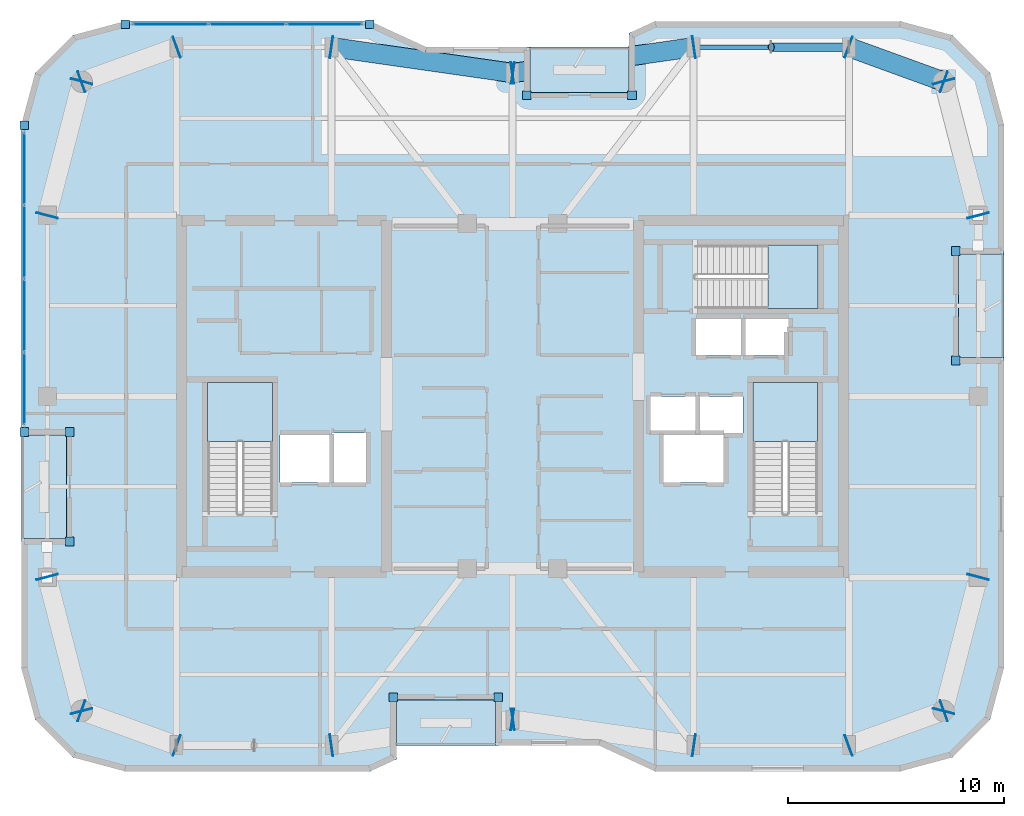
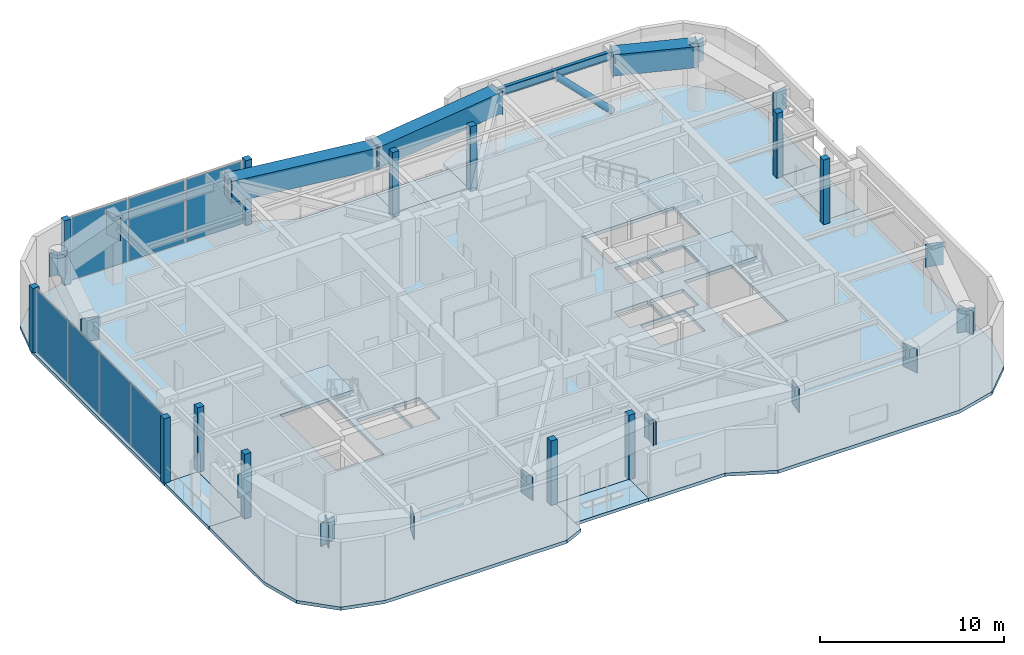
# One storey, part 7 of 16: 43 plates, 8 slabs, 4 beams, 1 member, 5 elements without a shape of their own.
"""IFC4 building model written with IfcOpenShell, lengths in metres."""

from ifc_helpers import new_model, si_unit, direction, frame, origin, origin_2d, place, context, subcontext, project, spatial, polyline, rectangle, hollow_rectangle, hollow_circle, i_section, outline, extrude, material, layer, layer_set, material_profile, profile_set, type_object, element, aggregate, save


model = new_model("IFC4")

# Units and contexts
model_context = context("Model", 3, precision=1e-05, world=origin(), true_north=direction((0.0, 1.0)))
body_context = subcontext(model_context, "Body", "Model", "MODEL_VIEW")
ifc_project = project(units=[si_unit("LENGTHUNIT", "METRE"), si_unit("AREAUNIT", "SQUARE_METRE"), si_unit("VOLUMEUNIT", "CUBIC_METRE"), si_unit("PLANEANGLEUNIT", "RADIAN"), si_unit("MASSUNIT", "GRAM", prefix="KILO")], contexts=[model_context])

# Site, building, storey
site_placement = place(None, origin())
site = spatial("IfcSite", under=ifc_project, at=site_placement, CompositionType="ELEMENT")
building_placement = place(site_placement, origin())
building = spatial("IfcBuilding", under=site, at=building_placement, Name="Kiyonajd Concourse Tower", CompositionType="ELEMENT")
storey_placement = place(building_placement, frame((0.0, 0.0, 337.5)))
storey = spatial("IfcBuildingStorey", under=building, at=storey_placement, Name="L85", CompositionType="ELEMENT", Elevation=337.5)

# Beams
ifc_material_1 = material(Name="Steel ASTM A992 Grade 50", Category="steel")
ifc_material_profile_1 = material_profile(ifc_material_1, i_section(OverallWidth=0.2109375, OverallDepth=0.5390625, WebThickness=0.01171875, FlangeThickness=0.018798828125, at=origin_2d()), Name="W530X109")
ifc_profile_set_1 = profile_set([ifc_material_profile_1], Name="Steel ASTM A992 Grade 50")
beam_type_1 = type_object("IfcBeamType", Name="BM-SPAN-530B", PredefinedType="SPANDREL", material=ifc_profile_set_1)
beam_1_placement = place(storey_placement, frame((63.60009765625, 52.199951171875, 4.010498046875), z_axis=(-1.0, 0.0, 0.0), x_axis=(0.0, -1.0, 0.0)))
element("IfcBeam", 1, at=beam_1_placement, inside=storey, type_object=beam_type_1, Name="L85 Perimeter Bundled Tube Spandrel", PredefinedType="SPANDREL", context=body_context, shape_type="SweptSolid", body=[
    extrude(i_section(OverallWidth=0.2109375, OverallDepth=0.5390625, WebThickness=0.01171875, FlangeThickness=0.018798828125, at=origin_2d()), origin(), (0.0, 0.0, 1.0), 7.2001953125),
])
ifc_material_2 = material(Name="Steel ASTM A572 Grade 50", Category="steel")
ifc_material_profile_2 = material_profile(ifc_material_2, hollow_rectangle(XDim=0.89990234375, YDim=1.39990234375, WallThickness=0.070068359375, at=origin_2d()), Name="BOX-1400x900x70")
ifc_profile_set_2 = profile_set([ifc_material_profile_2], Name="Steel ASTM A572 Grade 50")
beam_type_2 = type_object("IfcBeamType", Name="BM-XFER-1400", PredefinedType="BEAM", material=ifc_profile_set_2)
beam_2_placement = place(storey_placement, frame((68.0, 50.60009765625, 3.580078125), z_axis=(-0.939801036019, 0.341722127901, 0.0), x_axis=(-0.341722127901, -0.939801036019, 0.0)))
element("IfcBeam", 2, at=beam_2_placement, inside=storey, type_object=beam_type_2, Name="L85 Perimeter Bundled Tube Spandrel", PredefinedType="BEAM", context=body_context, shape_type="SweptSolid", body=[
    extrude(hollow_rectangle(XDim=0.89990234375, YDim=1.39990234375, WallThickness=0.070068359375, at=origin_2d()), origin(), (0.0, 0.0, 1.0), 4.681640625),
])
for number, where, z_axis, x_axis, name in (
    (3, (56.39990234375, 52.199951171875, 3.580078125), (-0.989950069105, -0.141417328072, 0.0), (0.141417328072, -0.989950069105, 0.0), "L85 Perimeter Bundled Tube Spandrel"),
    (4, (48.0, 51.0, 3.580078125), (-0.989950069105, 0.141417328072, 0.0), (-0.141417328072, -0.989950069105, 0.0), "L85 Perimeter Bundled Tube Spandrel"),
):
    element("IfcBeam", number, at=place(storey_placement, frame(where, z_axis=z_axis, x_axis=x_axis)), inside=storey, type_object=beam_type_2, Name=name, PredefinedType="BEAM", context=body_context, shape_type="SweptSolid", body=[
        extrude(hollow_rectangle(XDim=0.89990234375, YDim=1.39990234375, WallThickness=0.070068359375, at=origin_2d()), origin(), (0.0, 0.0, 1.0), 8.485107421875),
    ])

# Member
ifc_material_3 = material(Name="Steel ASTM A500 Grade C", Category="steel")
ifc_material_profile_3 = material_profile(ifc_material_3, hollow_circle(Radius=0.202880859375, WallThickness=0.01904296875, at=origin_2d()), Name="CHS-406x19")
ifc_profile_set_3 = profile_set([ifc_material_profile_3], Name="Steel ASTM A500 Grade C")
member_type = type_object("IfcMemberType", Name="MB-PB-HIGH", PredefinedType="BRACE", material=ifc_profile_set_3)
member_placement = place(storey_placement, frame((63.60009765625, 52.199951171875, 0.300048828125), z_axis=(-0.704187756773, 0.0, 0.710013804944), x_axis=(0.0, -1.0, 0.0)))
element("IfcMember", 5, at=member_placement, inside=storey, type_object=member_type, Name="L85 Upper Zone Hollow Tube Brace PBN", PredefinedType="BRACE", context=body_context, shape_type="SweptSolid", body=[
    extrude(hollow_circle(Radius=0.202880859375, WallThickness=0.01904296875, at=origin_2d()), origin(), (0.0, 0.0, 1.0), 5.1123046875),
])

# Plates
ifc_layer_1 = layer(ifc_material_2, 0.031982421875)
ifc_layer_set_1 = layer_set([ifc_layer_1], Name="Steel ASTM A572 Grade 50")
plate_type_1 = type_object("IfcPlateType", Name="PL-CAP-540", PredefinedType="USERDEFINED", material=ifc_layer_set_1)
for number, where, z_axis, x_axis, name in (
    (6, (26.397216796875, 27.610595703125, 2.81005859375), (0.0, 0.0, 1.0), (-0.249873048837, 0.968278606324, 0.0), "L85 Welded Box Girder End Cap"),
    (7, (28.002685546875, 21.389404296875, 2.81005859375), (0.0, 0.0, 1.0), (0.249873048837, -0.968278606324, 0.0), "L85 Welded Box Girder End Cap"),
    (8, (27.98974609375, 21.40380859375, 2.81005859375), (0.0, 0.0, 1.0), (-0.939811951086, 0.341692107891, 0.0), "L85 Welded Box Girder End Cap"),
    (9, (32.410400390625, 19.796142578125, 2.81005859375), (0.0, 0.0, 1.0), (0.939811951086, -0.341692107891, 0.0), "L85 Welded Box Girder End Cap"),
    (10, (39.589111328125, 19.79833984375, 2.81005859375), (0.0, 0.0, 1.0), (-0.989949746297, -0.141419587774, 0.0), "L85 Welded Box Girder End Cap"),
    (11, (48.010986328125, 21.001708984375, 2.81005859375), (0.0, 0.0, 1.0), (0.989949746297, 0.141419587774, 0.0), "L85 Welded Box Girder End Cap"),
    (12, (47.989013671875, 21.001708984375, 2.81005859375), (0.0, 0.0, 1.0), (-0.989949746297, 0.141419587774, 0.0), "L85 Welded Box Girder End Cap"),
    (13, (56.410888671875, 19.79833984375, 2.81005859375), (0.0, 0.0, 1.0), (0.989949746297, -0.141419587774, 0.0), "L85 Welded Box Girder End Cap"),
    (14, (63.589599609375, 19.796142578125, 2.81005859375), (0.0, 0.0, 1.0), (-0.939811951086, -0.341692107891, 0.0), "L85 Welded Box Girder End Cap"),
    (15, (68.01025390625, 21.40380859375, 2.81005859375), (0.0, 0.0, 1.0), (0.939811951086, 0.341692107891, 0.0), "L85 Welded Box Girder End Cap"),
    (16, (67.997314453125, 21.389404296875, 2.81005859375), (0.0, 0.0, 1.0), (-0.249873048837, -0.968278606324, 0.0), "L85 Welded Box Girder End Cap"),
    (17, (69.602783203125, 27.610595703125, 2.81005859375), (0.0, 0.0, 1.0), (0.249873048837, 0.968278606324, 0.0), "L85 Welded Box Girder End Cap"),
    (18, (69.602783203125, 44.389404296875, 2.81005859375), (0.0, 0.0, 1.0), (0.249873048837, -0.968278606324, 0.0), "L85 Welded Box Girder End Cap"),
    (19, (67.997314453125, 50.610595703125, 2.81005859375), (0.0, 0.0, 1.0), (-0.249873048837, 0.968278606324, 0.0), "L85 Welded Box Girder End Cap"),
    (20, (68.01025390625, 50.59619140625, 2.81005859375), (0.0, 0.0, 1.0), (0.939811951086, -0.341692107891, 0.0), "L85 Welded Box Girder End Cap"),
    (21, (63.589599609375, 52.203857421875, 2.81005859375), (0.0, 0.0, 1.0), (-0.939811951086, 0.341692107891, 0.0), "L85 Welded Box Girder End Cap"),
    (22, (56.410888671875, 52.20166015625, 2.81005859375), (0.0, 0.0, 1.0), (0.989949746297, 0.141419587774, 0.0), "L85 Welded Box Girder End Cap"),
    (23, (47.989013671875, 50.998291015625, 2.81005859375), (0.0, 0.0, 1.0), (-0.989949746297, -0.141419587774, 0.0), "L85 Welded Box Girder End Cap"),
    (24, (48.010986328125, 50.998291015625, 2.81005859375), (0.0, 0.0, 1.0), (0.989949746297, -0.141419587774, 0.0), "L85 Welded Box Girder End Cap"),
    (25, (39.589111328125, 52.20166015625, 2.81005859375), (0.0, 0.0, 1.0), (-0.989949746297, 0.141419587774, 0.0), "L85 Welded Box Girder End Cap"),
    (26, (32.410400390625, 52.203857421875, 2.81005859375), (0.0, 0.0, 1.0), (0.939811951086, 0.341692107891, 0.0), "L85 Welded Box Girder End Cap"),
    (27, (27.98974609375, 50.59619140625, 2.81005859375), (0.0, 0.0, 1.0), (-0.939811951086, -0.341692107891, 0.0), "L85 Welded Box Girder End Cap"),
    (28, (28.002685546875, 50.610595703125, 2.81005859375), (0.0, 0.0, 1.0), (0.249873048837, 0.968278606324, 0.0), "L85 Welded Box Girder End Cap"),
    (29, (26.397216796875, 44.389404296875, 2.81005859375), (0.0, 0.0, 1.0), (-0.249873048837, -0.968278606324, 0.0), "L85 Welded Box Girder End Cap"),
):
    element("IfcPlate", number, at=place(storey_placement, frame(where, z_axis=z_axis, x_axis=x_axis)), inside=storey, type_object=plate_type_1, Name=name, ObjectType="CAP PLATE", PredefinedType="USERDEFINED", context=body_context, shape_type="SweptSolid", body=[
        extrude(rectangle(XDim=0.035888671875, YDim=1.02001953125, at=origin_2d()), origin(), (0.0, 0.0, 1.0), 1.5400390625),
    ])

# Curtain wall, plates
ifc_material_4 = material(Name="Thermally Broken Anodised Aluminium", Category="aluminium")
ifc_layer_2 = layer(ifc_material_4, 0.179931640625)
ifc_layer_set_2 = layer_set([ifc_layer_2], Name="Thermally Broken Anodised Aluminium")
curtain_wall_type = type_object("IfcCurtainWallType", Name="CW-SYS-04", PredefinedType="NOTDEFINED", material=ifc_layer_set_2)
curtain_wall_1_placement = place(storey_placement, origin())
curtain_wall_1 = element("IfcCurtainWall", 30, at=curtain_wall_1_placement, inside=storey, type_object=curtain_wall_type, Name="L85 Unitised Curtain Wall CW4", PredefinedType="NOTDEFINED")
ifc_material_5 = material(Name="Double Low-E Insulated Glass", Category="glass")
ifc_layer_3 = layer(ifc_material_5, 0.033935546875)
ifc_layer_set_3 = layer_set([ifc_layer_3], Name="Double Low-E Insulated Glass")
plate_type_2 = type_object("IfcPlateType", Name="PL-CW-VIS34", PredefinedType="CURTAIN_PANEL", material=ifc_layer_set_3)
plate_1_placement = place(storey_placement, frame((25.340087890625, 36.35400390625, 0.06494140625), z_axis=(0.0, 0.0, 1.0), x_axis=(0.0, 1.0, 0.0)))
plate_1 = element("IfcPlate", 31, at=plate_1_placement, type_object=plate_type_2, Name="CW4 panel 1.1", PredefinedType="CURTAIN_PANEL", context=body_context, shape_type="SweptSolid", body=[
    extrude(rectangle(XDim=3.31787109375, YDim=0.033935546875, at=origin_2d()), origin(), (0.0, 0.0, 1.0), 4.14990234375),
])
plate_2_placement = place(storey_placement, frame((25.340087890625, 39.753173828125, 0.06494140625), z_axis=(0.0, 0.0, 1.0), x_axis=(0.0, 1.0, 0.0)))
plate_2 = element("IfcPlate", 32, at=plate_2_placement, type_object=plate_type_2, Name="CW4 panel 2.1", PredefinedType="CURTAIN_PANEL", context=body_context, shape_type="SweptSolid", body=[
    extrude(rectangle(XDim=3.350341796875, YDim=0.033935546875, at=origin_2d()), origin(), (0.0, 0.0, 1.0), 4.14990234375),
])
plate_3_placement = place(storey_placement, frame((25.340087890625, 43.16845703125, 0.06494140625), z_axis=(0.0, 0.0, 1.0), x_axis=(0.0, 1.0, 0.0)))
plate_3 = element("IfcPlate", 33, at=plate_3_placement, type_object=plate_type_2, Name="CW4 panel 3.1", PredefinedType="CURTAIN_PANEL", context=body_context, shape_type="SweptSolid", body=[
    extrude(rectangle(XDim=3.350341796875, YDim=0.033935546875, at=origin_2d()), origin(), (0.0, 0.0, 1.0), 4.14990234375),
])
plate_4_placement = place(storey_placement, frame((25.340087890625, 46.567626953125, 0.06494140625), z_axis=(0.0, 0.0, 1.0), x_axis=(0.0, 1.0, 0.0)))
plate_4 = element("IfcPlate", 34, at=plate_4_placement, type_object=plate_type_2, Name="CW4 panel 4.1", PredefinedType="CURTAIN_PANEL", context=body_context, shape_type="SweptSolid", body=[
    extrude(rectangle(XDim=3.31787109375, YDim=0.033935546875, at=origin_2d()), origin(), (0.0, 0.0, 1.0), 4.14990234375),
])
aggregate(curtain_wall_1, [plate_1, plate_2, plate_3, plate_4])

curtain_wall_2_placement = place(storey_placement, origin())
curtain_wall_2 = element("IfcCurtainWall", 35, at=curtain_wall_2_placement, inside=storey, type_object=curtain_wall_type, Name="L85 Unitised Curtain Wall CW4", PredefinedType="NOTDEFINED")
plate_5_placement = place(storey_placement, frame((32.119873046875, 53.260009765625, 0.06494140625), z_axis=(0.0, 0.0, 1.0), x_axis=(1.0, 0.0, 0.0)))
plate_5 = element("IfcPlate", 36, at=plate_5_placement, type_object=plate_type_2, Name="CW4 panel 1.1", PredefinedType="CURTAIN_PANEL", context=body_context, shape_type="SweptSolid", body=[
    extrude(rectangle(XDim=3.492919921875, YDim=0.033935546875, at=origin_2d()), origin(), (0.0, 0.0, 1.0), 4.14990234375),
])
plate_6_placement = place(storey_placement, frame((35.69384765625, 53.260009765625, 0.06494140625), z_axis=(0.0, 0.0, 1.0), x_axis=(1.0, 0.0, 0.0)))
plate_6 = element("IfcPlate", 37, at=plate_6_placement, type_object=plate_type_2, Name="CW4 panel 2.1", PredefinedType="CURTAIN_PANEL", context=body_context, shape_type="SweptSolid", body=[
    extrude(rectangle(XDim=3.525390625, YDim=0.033935546875, at=origin_2d()), origin(), (0.0, 0.0, 1.0), 4.14990234375),
])
plate_7_placement = place(storey_placement, frame((39.267822265625, 53.260009765625, 0.06494140625), z_axis=(0.0, 0.0, 1.0), x_axis=(1.0, 0.0, 0.0)))
plate_7 = element("IfcPlate", 38, at=plate_7_placement, type_object=plate_type_2, Name="CW4 panel 3.1", PredefinedType="CURTAIN_PANEL", context=body_context, shape_type="SweptSolid", body=[
    extrude(rectangle(XDim=3.492919921875, YDim=0.033935546875, at=origin_2d()), origin(), (0.0, 0.0, 1.0), 4.14990234375),
])
aggregate(curtain_wall_2, [plate_5, plate_6, plate_7])

# Plates
ifc_layer_4 = layer(ifc_material_4, 0.39990234375)
ifc_layer_set_4 = layer_set([ifc_layer_4], Name="Thermally Broken Anodised Aluminium")
plate_type_3 = type_object("IfcPlateType", Name="PL-JMB-400", PredefinedType="USERDEFINED", material=ifc_layer_set_4)
for number, where, z_axis, x_axis, name in (
    (39, (27.43994140625, 29.260009765625, 0.0), (0.0, 0.0, 1.0), (1.0, 0.0, 0.0), "L85 Facade Jamb Closure Plate 01"),
    (40, (27.43994140625, 34.340087890625, 0.0), (0.0, 0.0, 1.0), (1.0, 0.0, 0.0), "L85 Facade Jamb Closure Plate 02"),
    (41, (25.340087890625, 34.340087890625, 0.0), (0.0, 0.0, 1.0), (1.0, 0.0, 0.0), "L85 Facade Jamb Closure Plate 03"),
    (42, (25.340087890625, 48.58154296875, 0.0), (0.0, 0.0, 1.0), (1.0, 0.0, 0.0), "L85 Facade Jamb Closure Plate 04"),
    (43, (30.018310546875, 53.260009765625, 0.0), (0.0, 0.0, 1.0), (1.0, 0.0, 0.0), "L85 Facade Jamb Closure Plate 05"),
    (44, (41.369384765625, 53.260009765625, 0.0), (0.0, 0.0, 1.0), (1.0, 0.0, 0.0), "L85 Facade Jamb Closure Plate 06"),
    (45, (48.659912109375, 49.9599609375, 0.0), (0.0, 0.0, 1.0), (1.0, 0.0, 0.0), "L85 Facade Jamb Closure Plate 07"),
    (46, (53.5400390625, 49.9599609375, 0.0), (0.0, 0.0, 1.0), (1.0, 0.0, 0.0), "L85 Facade Jamb Closure Plate 08"),
    (47, (68.56005859375, 42.739990234375, 0.0), (0.0, 0.0, 1.0), (1.0, 0.0, 0.0), "L85 Facade Jamb Closure Plate 09"),
    (48, (68.56005859375, 37.659912109375, 0.0), (0.0, 0.0, 1.0), (1.0, 0.0, 0.0), "L85 Facade Jamb Closure Plate 10"),
    (49, (47.340087890625, 22.0400390625, 0.0), (0.0, 0.0, 1.0), (1.0, 0.0, 0.0), "L85 Facade Jamb Closure Plate 11"),
    (50, (42.4599609375, 22.0400390625, 0.0), (0.0, 0.0, 1.0), (1.0, 0.0, 0.0), "L85 Facade Jamb Closure Plate 12"),
):
    element("IfcPlate", number, at=place(storey_placement, frame(where, z_axis=z_axis, x_axis=x_axis)), inside=storey, type_object=plate_type_3, Name=name, ObjectType="JAMB PLATE", PredefinedType="USERDEFINED", context=body_context, shape_type="SweptSolid", body=[
        extrude(rectangle(XDim=0.39990234375, YDim=0.39990234375, at=origin_2d()), origin(), (0.0, 0.0, 1.0), 4.280029296875),
    ])

# Stair, slab
ifc_material_6 = material(Name="Concrete C40/50", Category="concrete")
stair_type = type_object("IfcStairType", Name="ST-DLG-26R", PredefinedType="HALF_TURN_STAIR", material=ifc_material_6)
stair_1_placement = place(storey_placement, origin())
stair_1 = element("IfcStair", 51, at=stair_1_placement, inside=storey, type_object=stair_type, Name="L85 Protected Exit Stair ST1", PredefinedType="HALF_TURN_STAIR")
ifc_layer_5 = layer(ifc_material_6, 0.199951171875)
ifc_layer_set_5 = layer_set([ifc_layer_5], Name="Concrete C40/50")
slab_type_1 = type_object("IfcSlabType", Name="SL-LND-200", PredefinedType="LANDING", material=ifc_layer_set_5)
slab_1_placement = place(storey_placement, frame((0.0, 0.0, 2.050048828125)))
slab_1 = element("IfcSlab", 52, at=slab_1_placement, type_object=slab_type_1, Name="ST1 landing 1", PredefinedType="LANDING", context=body_context, shape_type="SweptSolid", body=[
    extrude(outline(polyline([(36.85009765625, 33.909912109375), (36.85009765625, 36.64990234375), (33.85009765625, 36.64990234375), (33.85009765625, 33.909912109375), (36.85009765625, 33.909912109375)])), origin(), (0.0, 0.0, 1.0), 0.199951171875),
])
aggregate(stair_1, [slab_1])

stair_2_placement = place(storey_placement, origin())
stair_2 = element("IfcStair", 53, at=stair_2_placement, inside=storey, type_object=stair_type, Name="L85 Protected Exit Stair ST2", PredefinedType="HALF_TURN_STAIR")
slab_2_placement = place(storey_placement, frame((0.0, 0.0, 2.050048828125)))
slab_2 = element("IfcSlab", 54, at=slab_2_placement, type_object=slab_type_1, Name="ST2 landing 1", PredefinedType="LANDING", context=body_context, shape_type="SweptSolid", body=[
    extrude(outline(polyline([(62.14990234375, 33.909912109375), (62.14990234375, 36.64990234375), (59.14990234375, 36.64990234375), (59.14990234375, 33.909912109375), (62.14990234375, 33.909912109375)])), origin(), (0.0, 0.0, 1.0), 0.199951171875),
])
aggregate(stair_2, [slab_2])

stair_3_placement = place(storey_placement, origin())
stair_3 = element("IfcStair", 55, at=stair_3_placement, inside=storey, type_object=stair_type, Name="L85 Protected Exit Stair ST3", PredefinedType="HALF_TURN_STAIR")
slab_3_placement = place(storey_placement, frame((0.0, 0.0, 2.050048828125)))
slab_3 = element("IfcSlab", 56, at=slab_3_placement, type_object=slab_type_1, Name="ST3 landing 1", PredefinedType="LANDING", context=body_context, shape_type="SweptSolid", body=[
    extrude(outline(polyline([(59.840087890625, 40.080078125), (62.179931640625, 40.080078125), (62.179931640625, 43.02001953125), (59.840087890625, 43.02001953125), (59.840087890625, 40.080078125)])), origin(), (0.0, 0.0, 1.0), 0.199951171875),
])
aggregate(stair_3, [slab_3])

# Slabs
ifc_material_7 = material(Name="Precast concrete C50/60", Category="concrete")
ifc_layer_6 = layer(ifc_material_7, 0.199951171875)
ifc_layer_set_6 = layer_set([ifc_layer_6], Name="Precast concrete C50/60")
slab_type_2 = type_object("IfcSlabType", Name="SL-LOG-200", PredefinedType="FLOOR", material=ifc_layer_set_6)
slab_4_placement = place(storey_placement, frame((0.0, 0.0, -0.199951171875)))
element("IfcSlab", 57, at=slab_4_placement, inside=storey, type_object=slab_type_2, Name="L85 Recessed Engawa Loggia Terrace Slab LOG-S", PredefinedType="FLOOR", context=body_context, shape_type="SweptSolid", body=[
    extrude(outline(polyline([(42.60009765625, 19.800048828125), (47.199951171875, 19.800048828125), (47.199951171875, 21.89990234375), (42.60009765625, 21.89990234375), (42.60009765625, 19.800048828125)])), origin(), (0.0, 0.0, 1.0), 0.199951171875),
])
slab_5_placement = place(storey_placement, frame((0.0, 0.0, -0.199951171875)))
element("IfcSlab", 58, at=slab_5_placement, inside=storey, type_object=slab_type_2, Name="L85 Recessed Engawa Loggia Terrace Slab LOG-N", PredefinedType="FLOOR", context=body_context, shape_type="SweptSolid", body=[
    extrude(outline(polyline([(48.800048828125, 50.10009765625), (53.39990234375, 50.10009765625), (53.39990234375, 52.199951171875), (48.800048828125, 52.199951171875), (48.800048828125, 50.10009765625)])), origin(), (0.0, 0.0, 1.0), 0.199951171875),
])
slab_6_placement = place(storey_placement, frame((0.0, 0.0, -0.199951171875)))
element("IfcSlab", 59, at=slab_6_placement, inside=storey, type_object=slab_type_2, Name="L85 Recessed Engawa Loggia Terrace Slab LOG-W", PredefinedType="FLOOR", context=body_context, shape_type="SweptSolid", body=[
    extrude(outline(polyline([(25.199951171875, 29.39990234375), (27.300048828125, 29.39990234375), (27.300048828125, 34.199951171875), (25.199951171875, 34.199951171875), (25.199951171875, 29.39990234375)])), origin(), (0.0, 0.0, 1.0), 0.199951171875),
])
slab_7_placement = place(storey_placement, frame((0.0, 0.0, -0.199951171875)))
element("IfcSlab", 60, at=slab_7_placement, inside=storey, type_object=slab_type_2, Name="L85 Recessed Engawa Loggia Terrace Slab LOG-E", PredefinedType="FLOOR", context=body_context, shape_type="SweptSolid", body=[
    extrude(outline(polyline([(68.699951171875, 37.800048828125), (70.800048828125, 37.800048828125), (70.800048828125, 42.60009765625), (68.699951171875, 42.60009765625), (68.699951171875, 37.800048828125)])), origin(), (0.0, 0.0, 1.0), 0.199951171875),
])
ifc_layer_7 = layer(ifc_material_6, 0.219970703125)
ifc_layer_set_7 = layer_set([ifc_layer_7], Name="Concrete C40/50")
slab_type_3 = type_object("IfcSlabType", Name="SL-TWR-220", PredefinedType="FLOOR", material=ifc_layer_set_7)
slab_8_placement = place(storey_placement, frame((0.0, 0.0, -0.219970703125)))
element("IfcSlab", 61, at=slab_8_placement, inside=storey, type_object=slab_type_3, Name="L85 Tower Conditioned Floor Slab", PredefinedType="FLOOR", context=body_context, shape_type="SweptSolid", body=[
    extrude(outline(polyline([(25.843017578125, 21.0), (25.199951171875, 23.39990234375), (25.199951171875, 29.39990234375), (27.300048828125, 29.39990234375), (27.300048828125, 34.199951171875), (25.199951171875, 34.199951171875), (25.199951171875, 48.60009765625), (25.843017578125, 51.0), (27.60009765625, 52.757080078125), (30.0, 53.39990234375), (41.39990234375, 53.39990234375), (44.0, 52.199951171875), (48.800048828125, 52.199951171875), (48.800048828125, 50.10009765625), (53.39990234375, 50.10009765625), (53.39990234375, 52.845947265625), (54.60009765625, 53.39990234375), (66.0, 53.39990234375), (68.39990234375, 52.757080078125), (70.156982421875, 51.0), (70.800048828125, 48.60009765625), (70.800048828125, 42.60009765625), (68.699951171875, 42.60009765625), (68.699951171875, 37.800048828125), (70.800048828125, 37.800048828125), (70.800048828125, 23.39990234375), (70.156982421875, 21.0), (68.39990234375, 19.242919921875), (66.0, 18.60009765625), (54.60009765625, 18.60009765625), (52.0, 19.800048828125), (47.199951171875, 19.800048828125), (47.199951171875, 21.89990234375), (42.60009765625, 21.89990234375), (42.60009765625, 19.154052734375), (41.39990234375, 18.60009765625), (30.0, 18.60009765625), (27.60009765625, 19.242919921875), (25.843017578125, 21.0)]), holes=[polyline([(39.5, 32.0), (37.199951171875, 32.0), (37.199951171875, 34.199951171875), (39.5, 34.199951171875), (39.5, 32.0)]), polyline([(57.800048828125, 32.0), (55.0, 32.0), (55.0, 34.199951171875), (57.800048828125, 34.199951171875), (57.800048828125, 32.0)]), polyline([(41.199951171875, 32.0), (39.60009765625, 32.0), (39.60009765625, 34.300048828125), (41.199951171875, 34.300048828125), (41.199951171875, 32.0)]), polyline([(33.85009765625, 30.550048828125), (33.85009765625, 36.64990234375), (36.85009765625, 36.64990234375), (36.85009765625, 30.550048828125), (33.85009765625, 30.550048828125)]), polyline([(59.14990234375, 30.550048828125), (59.14990234375, 36.64990234375), (62.14990234375, 36.64990234375), (62.14990234375, 30.550048828125), (59.14990234375, 30.550048828125)]), polyline([(56.5, 34.300048828125), (54.39990234375, 34.300048828125), (54.39990234375, 36.0), (56.5, 36.0), (56.5, 34.300048828125)]), polyline([(58.699951171875, 34.300048828125), (56.60009765625, 34.300048828125), (56.60009765625, 36.0), (58.699951171875, 36.0), (58.699951171875, 34.300048828125)]), polyline([(58.60009765625, 37.89990234375), (56.5, 37.89990234375), (56.5, 39.60009765625), (58.60009765625, 39.60009765625), (58.60009765625, 37.89990234375)]), polyline([(58.699951171875, 37.89990234375), (58.699951171875, 39.60009765625), (60.800048828125, 39.60009765625), (60.800048828125, 37.89990234375), (58.699951171875, 37.89990234375)]), polyline([(56.47998046875, 43.02001953125), (62.179931640625, 43.02001953125), (62.179931640625, 40.080078125), (56.47998046875, 40.080078125), (56.47998046875, 43.02001953125)])]), origin(), (0.0, 0.0, 1.0), 0.219970703125),
])

save(model, "model.ifc")
